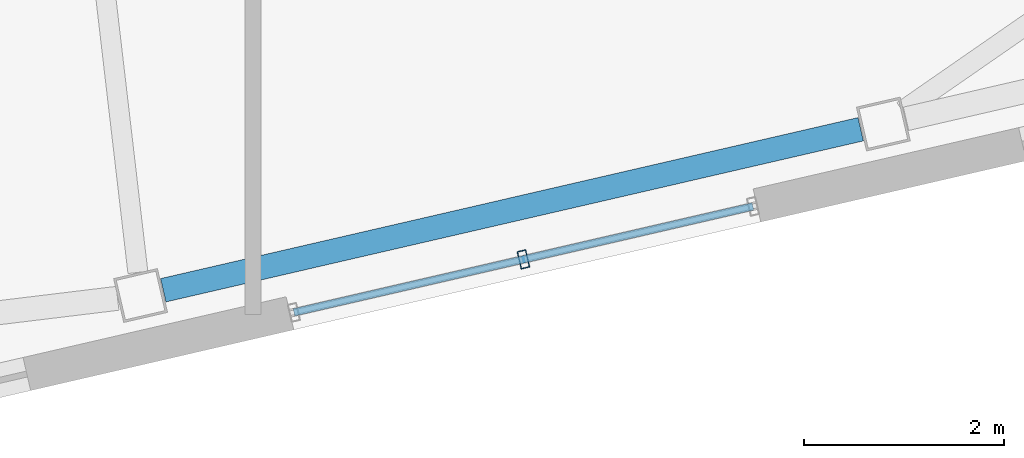
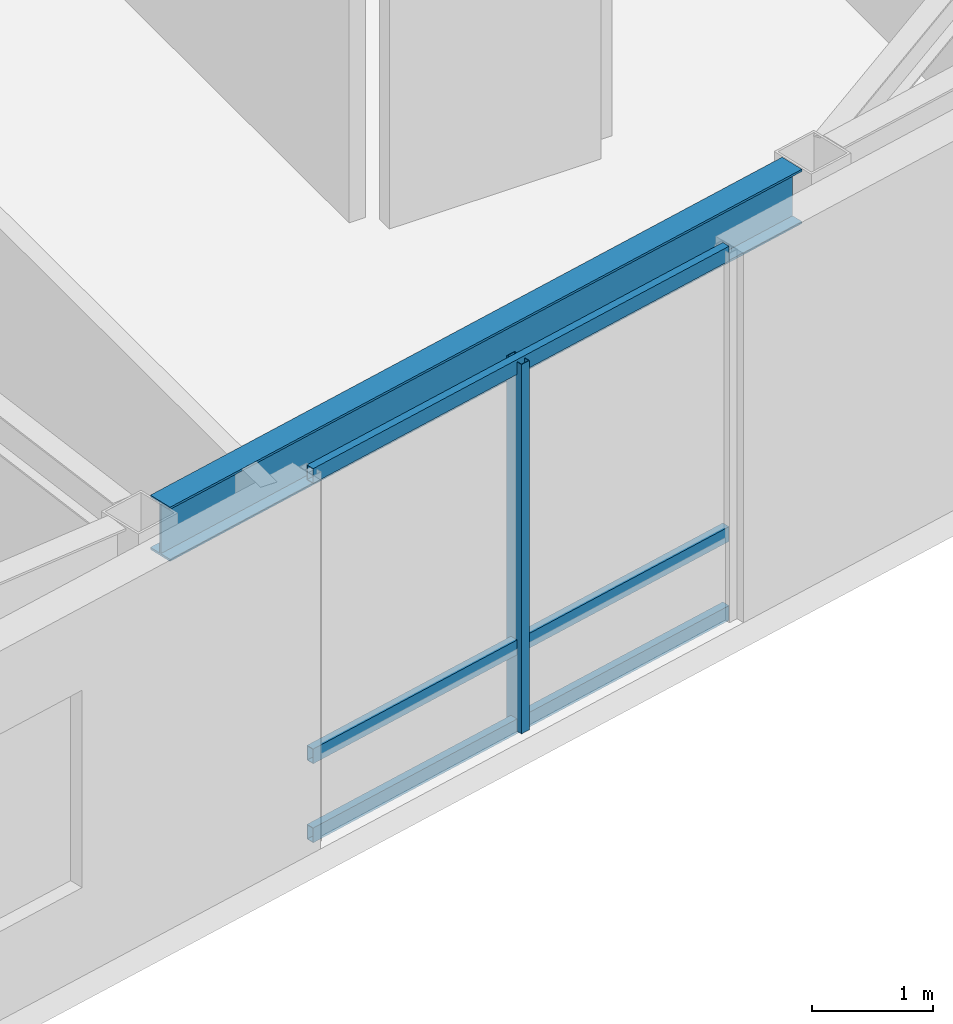
# One storey, part 8 of 23: 4 members, 1 beam, 1 element without a shape of its own.
"""IFC4 building model written with IfcOpenShell, lengths in metres."""

from ifc_helpers import new_model, si_unit, direction, frame, origin, origin_2d, place, context, subcontext, project, spatial, hollow_rectangle, i_section, extrude, material, layer, layer_set, material_profile, profile_set, type_object, element, aggregate, save


model = new_model("IFC4")

# Units and contexts
model_context = context("Model", 3, precision=1e-05, world=origin(), true_north=direction((0.0, 1.0)))
body_context = subcontext(model_context, "Body", "Model", "MODEL_VIEW")
ifc_project = project(units=[si_unit("LENGTHUNIT", "METRE"), si_unit("AREAUNIT", "SQUARE_METRE"), si_unit("VOLUMEUNIT", "CUBIC_METRE"), si_unit("PLANEANGLEUNIT", "RADIAN"), si_unit("MASSUNIT", "GRAM", prefix="KILO")], contexts=[model_context])

# Site, building, storey
site_placement = place(None, origin())
site = spatial("IfcSite", under=ifc_project, at=site_placement, CompositionType="ELEMENT")
building_placement = place(site_placement, origin())
building = spatial("IfcBuilding", under=site, at=building_placement, Name="Tavrogorsk Clinical Tower", CompositionType="ELEMENT")
storey_placement = place(building_placement, frame((0.0, 0.0, 301.0)))
storey = spatial("IfcBuildingStorey", under=building, at=storey_placement, Name="L70", CompositionType="ELEMENT", Elevation=301.0)

# Curtain wall, members
ifc_material_1 = material(Name="Anodised aluminium and triple IGU glazing", Category="aluminium")
ifc_layer = layer(ifc_material_1, 0.179931640625)
ifc_layer_set = layer_set([ifc_layer], Name="Anodised aluminium and triple IGU glazing")
curtain_wall_type = type_object("IfcCurtainWallType", Name="CW3_SouthSlot", PredefinedType="NOTDEFINED", material=ifc_layer_set)
curtain_wall_placement = place(storey_placement, origin())
curtain_wall = element("IfcCurtainWall", 1, at=curtain_wall_placement, inside=storey, type_object=curtain_wall_type, Name="L70 Curtain Wall CW-L70-S-SLOT-2", PredefinedType="NOTDEFINED")
ifc_material_2 = material(Name="Anodised aluminium alloy AW-6060", Category="aluminium")
ifc_material_profile_1 = material_profile(ifc_material_2, hollow_rectangle(XDim=0.090087890625, YDim=0.179931640625, WallThickness=0.00634765625, at=origin_2d()), Name="RHS-180x90x6.3")
ifc_profile_set_1 = profile_set([ifc_material_profile_1], Name="Anodised aluminium alloy AW-6060")
member_type_1 = type_object("IfcMemberType", Name="CwMullion_180x90", PredefinedType="MULLION", material=ifc_profile_set_1)
member_1_placement = place(storey_placement, frame((10.106689453125, -22.03515625, 0.0), z_axis=(0.0, 0.0, 1.0), x_axis=(0.974370057377, 0.224951086434, 0.0)))
member_1 = element("IfcMember", 2, at=member_1_placement, type_object=member_type_1, Name="CW-L70-S-SLOT-2 Mullion 2", PredefinedType="MULLION", context=body_context, shape_type="SweptSolid", body=[
    extrude(hollow_rectangle(XDim=0.090087890625, YDim=0.179931640625, WallThickness=0.00634765625, at=origin_2d()), origin(), (0.0, 0.0, 1.0), 3.739990234375),
])
ifc_material_3 = material(Name="Anodised aluminium alloy AW-6060", Category="aluminium")
ifc_material_profile_2 = material_profile(ifc_material_3, hollow_rectangle(XDim=0.074951171875, YDim=0.14990234375, WallThickness=0.0048828125, at=origin_2d()), Name="RHS-150x75x5")
ifc_profile_set_2 = profile_set([ifc_material_profile_2], Name="Anodised aluminium alloy AW-6060")
member_type_2 = type_object("IfcMemberType", Name="CwTransom_150x75", PredefinedType="USERDEFINED", material=ifc_profile_set_2)
member_2_placement = place(storey_placement, frame((7.80810546875, -22.56591796875, 0.050048828125), z_axis=(0.974372877948, 0.22493886885, 0.0), x_axis=(-0.22493886885, 0.974372877948, 0.0)))
member_2 = element("IfcMember", 3, at=member_2_placement, type_object=member_type_2, Name="CW-L70-S-SLOT-2 Transom 1", ObjectType="TRANSOM", PredefinedType="USERDEFINED", context=body_context, shape_type="SweptSolid", body=[
    extrude(hollow_rectangle(XDim=0.074951171875, YDim=0.14990234375, WallThickness=0.0048828125, at=origin_2d()), origin(), (0.0, 0.0, 1.0), 4.718017578125),
])
member_3_placement = place(storey_placement, frame((7.80810546875, -22.56591796875, 0.85009765625), z_axis=(0.974372877948, 0.22493886885, 0.0), x_axis=(-0.22493886885, 0.974372877948, 0.0)))
member_3 = element("IfcMember", 4, at=member_3_placement, type_object=member_type_2, Name="CW-L70-S-SLOT-2 Transom 2", ObjectType="TRANSOM", PredefinedType="USERDEFINED", context=body_context, shape_type="SweptSolid", body=[
    extrude(hollow_rectangle(XDim=0.074951171875, YDim=0.14990234375, WallThickness=0.0048828125, at=origin_2d()), origin(), (0.0, 0.0, 1.0), 4.718017578125),
])
member_4_placement = place(storey_placement, frame((7.80810546875, -22.56591796875, 3.68994140625), z_axis=(0.974372877948, 0.22493886885, 0.0), x_axis=(-0.22493886885, 0.974372877948, 0.0)))
member_4 = element("IfcMember", 5, at=member_4_placement, type_object=member_type_2, Name="CW-L70-S-SLOT-2 Transom 3", ObjectType="TRANSOM", PredefinedType="USERDEFINED", context=body_context, shape_type="SweptSolid", body=[
    extrude(hollow_rectangle(XDim=0.074951171875, YDim=0.14990234375, WallThickness=0.0048828125, at=origin_2d()), origin(), (0.0, 0.0, 1.0), 4.718017578125),
])
aggregate(curtain_wall, [member_1, member_2, member_3, member_4])

# Beam
ifc_material_4 = material(Name="Structural steel S390", Category="steel")
ifc_material_profile_3 = material_profile(ifc_material_4, i_section(OverallWidth=0.239990234375, OverallDepth=0.550048828125, WebThickness=0.013916015625, FlangeThickness=0.02197265625, at=origin_2d()), Name="B-550x240x14x22")
ifc_profile_set_3 = profile_set([ifc_material_profile_3], Name="Structural steel S390")
beam_type = type_object("IfcBeamType", Name="SpandrelBeam_B550", PredefinedType="SPANDREL", material=ifc_profile_set_3)
beam_placement = place(storey_placement, frame((6.499755859375, -22.344482421875, 3.465087890625), z_axis=(0.974369378592, 0.224954026551, 0.0), x_axis=(-0.224954026551, 0.974369378592, 0.0)))
element("IfcBeam", 6, at=beam_placement, inside=storey, type_object=beam_type, Name="L70 Perimeter Spandrel S5-S6", PredefinedType="SPANDREL", context=body_context, shape_type="SweptSolid", body=[
    extrude(i_section(OverallWidth=0.239990234375, OverallDepth=0.550048828125, WebThickness=0.013916015625, FlangeThickness=0.02197265625, at=origin_2d()), origin(), (0.0, 0.0, 1.0), 7.16845703125),
])

save(model, "model.ifc")
